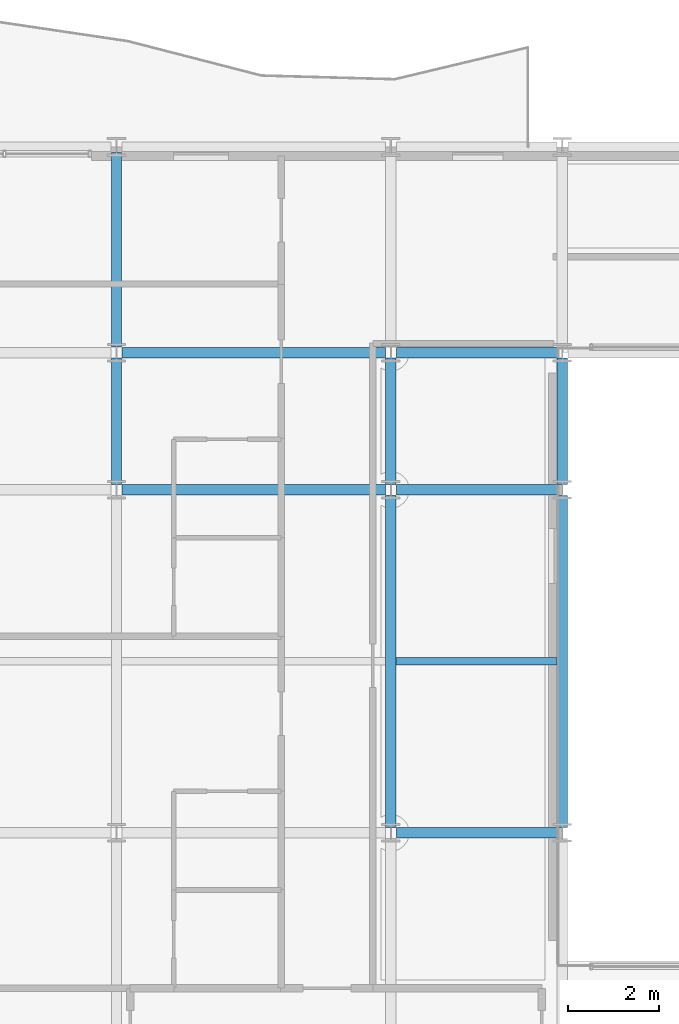
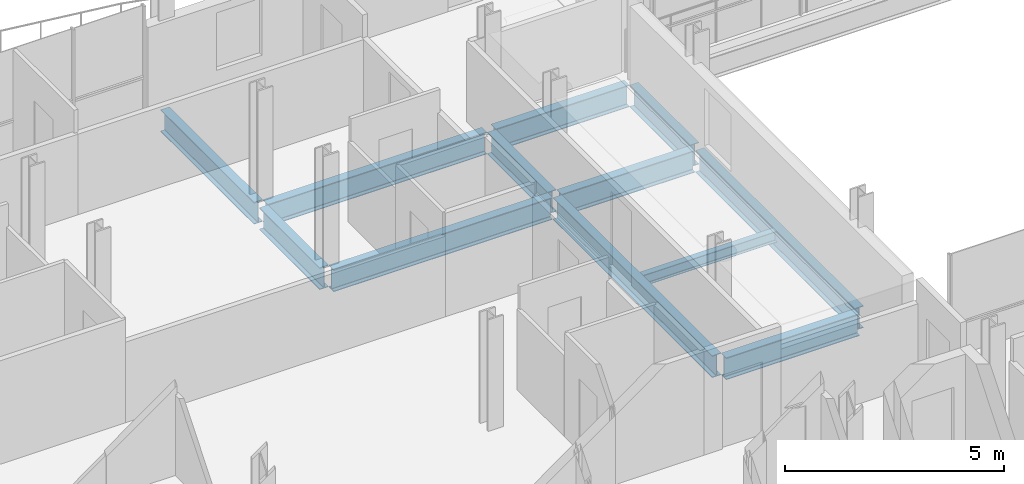
# One storey, part 10 of 41: 12 beams.
"""IFC4 building model written with IfcOpenShell, lengths in metres."""

from ifc_helpers import new_model, si_unit, direction, frame, origin, origin_2d, place, context, subcontext, project, spatial, i_section, extrude, material, material_profile, profile_set, type_object, element, save


model = new_model("IFC4")

# Units and contexts
model_context = context("Model", 3, precision=1e-05, world=origin(), true_north=direction((0.0, 1.0)))
body_context = subcontext(model_context, "Body", "Model", "MODEL_VIEW")
ifc_project = project(units=[si_unit("LENGTHUNIT", "METRE"), si_unit("AREAUNIT", "SQUARE_METRE"), si_unit("VOLUMEUNIT", "CUBIC_METRE"), si_unit("PLANEANGLEUNIT", "RADIAN"), si_unit("MASSUNIT", "GRAM", prefix="KILO")], contexts=[model_context])

# Site, building, storey
site_placement = place(None, origin())
site = spatial("IfcSite", under=ifc_project, at=site_placement, CompositionType="ELEMENT")
building_placement = place(site_placement, origin())
building = spatial("IfcBuilding", under=site, at=building_placement, Name="Brevholm Reach", CompositionType="ELEMENT")
storey_placement = place(building_placement, frame((0.0, 0.0, 144.89990234375)))
storey = spatial("IfcBuildingStorey", under=building, at=storey_placement, Name="L43", CompositionType="ELEMENT", Elevation=144.89990234375)

# Beams
ifc_material_1 = material(Name="Structural Steel S355J2", Category="steel")
ifc_material_profile_1 = material_profile(ifc_material_1, i_section(OverallWidth=0.1650390625, OverallDepth=0.303466796875, WebThickness=0.006103515625, FlangeThickness=0.01025390625, FilletRadius=0.0087890625, at=origin_2d()), Name="UKB 305x165x40")
ifc_profile_set_1 = profile_set([ifc_material_profile_1], Name="Structural Steel S355J2")
beam_type_1 = type_object("IfcBeamType", Name="BM-B305", PredefinedType="BEAM", material=ifc_profile_set_1)
beam_1_placement = place(storey_placement, frame((18.114501953125, 19.75, -0.37158203125), z_axis=(1.0, 0.0, 0.0), x_axis=(0.0, 1.0, 0.0)))
element("IfcBeam", 1, at=beam_1_placement, inside=storey, type_object=beam_type_1, Name="L43 Composite Secondary Floor Beam", PredefinedType="BEAM", context=body_context, shape_type="SweptSolid", body=[
    extrude(i_section(OverallWidth=0.1650390625, OverallDepth=0.303466796875, WebThickness=0.006103515625, FlangeThickness=0.01025390625, FilletRadius=0.0087890625, at=origin_2d()), origin(), (0.0, 0.0, 1.0), 3.52099609375),
])
ifc_material_2 = material(Name="Structural Steel S355J2", Category="steel")
ifc_material_profile_2 = material_profile(ifc_material_2, i_section(OverallWidth=0.22900390625, OverallDepth=0.6123046875, WebThickness=0.011962890625, FlangeThickness=0.01953125, FilletRadius=0.0126953125, at=origin_2d()), Name="UKB 610x229x125")
ifc_profile_set_2 = profile_set([ifc_material_profile_2], Name="Structural Steel S355J2")
beam_type_2 = type_object("IfcBeamType", Name="BM-SP610", PredefinedType="SPANDREL", material=ifc_profile_set_2)
beam_2_placement = place(storey_placement, frame((18.1201171875, 16.0, -0.526123046875), z_axis=(1.0, 0.0, 0.0), x_axis=(0.0, 1.0, 0.0)))
element("IfcBeam", 2, at=beam_2_placement, inside=storey, type_object=beam_type_2, Name="L43 SP-01 Framing Beam", PredefinedType="SPANDREL", context=body_context, shape_type="SweptSolid", body=[
    extrude(i_section(OverallWidth=0.22900390625, OverallDepth=0.6123046875, WebThickness=0.011962890625, FlangeThickness=0.01953125, FilletRadius=0.0126953125, at=origin_2d()), origin(), (0.0, 0.0, 1.0), 3.509765625),
])
beam_3_placement = place(storey_placement, frame((12.1201171875, 23.5, -0.526123046875), z_axis=(1.0, 0.0, 0.0), x_axis=(0.0, 1.0, 0.0)))
element("IfcBeam", 3, at=beam_3_placement, inside=storey, type_object=beam_type_2, Name="L43 SP-01 Framing Beam", PredefinedType="SPANDREL", context=body_context, shape_type="SweptSolid", body=[
    extrude(i_section(OverallWidth=0.22900390625, OverallDepth=0.6123046875, WebThickness=0.011962890625, FlangeThickness=0.01953125, FilletRadius=0.0126953125, at=origin_2d()), origin(), (0.0, 0.0, 1.0), 5.759765625),
])
beam_4_placement = place(storey_placement, frame((18.1201171875, 23.5, -0.526123046875), z_axis=(1.0, 0.0, 0.0), x_axis=(0.0, 1.0, 0.0)))
element("IfcBeam", 4, at=beam_4_placement, inside=storey, type_object=beam_type_2, Name="L43 SP-01 Framing Beam", PredefinedType="SPANDREL", context=body_context, shape_type="SweptSolid", body=[
    extrude(i_section(OverallWidth=0.22900390625, OverallDepth=0.6123046875, WebThickness=0.011962890625, FlangeThickness=0.01953125, FilletRadius=0.0126953125, at=origin_2d()), origin(), (0.0, 0.0, 1.0), 3.509765625),
])
beam_5_placement = place(storey_placement, frame((12.1201171875, 26.5, -0.526123046875), z_axis=(1.0, 0.0, 0.0), x_axis=(0.0, 1.0, 0.0)))
element("IfcBeam", 5, at=beam_5_placement, inside=storey, type_object=beam_type_2, Name="L43 SP-01 Framing Beam", PredefinedType="SPANDREL", context=body_context, shape_type="SweptSolid", body=[
    extrude(i_section(OverallWidth=0.22900390625, OverallDepth=0.6123046875, WebThickness=0.011962890625, FlangeThickness=0.01953125, FilletRadius=0.0126953125, at=origin_2d()), origin(), (0.0, 0.0, 1.0), 5.759765625),
])
beam_6_placement = place(storey_placement, frame((18.1201171875, 26.5, -0.526123046875), z_axis=(1.0, 0.0, 0.0), x_axis=(0.0, 1.0, 0.0)))
element("IfcBeam", 6, at=beam_6_placement, inside=storey, type_object=beam_type_2, Name="L43 SP-01 Framing Beam", PredefinedType="SPANDREL", context=body_context, shape_type="SweptSolid", body=[
    extrude(i_section(OverallWidth=0.22900390625, OverallDepth=0.6123046875, WebThickness=0.011962890625, FlangeThickness=0.01953125, FilletRadius=0.0126953125, at=origin_2d()), origin(), (0.0, 0.0, 1.0), 3.509765625),
])
beam_7_placement = place(storey_placement, frame((12.0, 23.6201171875, -0.526123046875), z_axis=(0.0, 1.0, 0.0), x_axis=(-1.0, 0.0, 0.0)))
element("IfcBeam", 7, at=beam_7_placement, inside=storey, type_object=beam_type_2, Name="L43 SP-01 Framing Beam", PredefinedType="SPANDREL", context=body_context, shape_type="SweptSolid", body=[
    extrude(i_section(OverallWidth=0.22900390625, OverallDepth=0.6123046875, WebThickness=0.011962890625, FlangeThickness=0.01953125, FilletRadius=0.0126953125, at=origin_2d()), origin(), (0.0, 0.0, 1.0), 2.759765625),
])
beam_8_placement = place(storey_placement, frame((12.0, 26.6201171875, -0.526123046875), z_axis=(0.0, 1.0, 0.0), x_axis=(-1.0, 0.0, 0.0)))
element("IfcBeam", 8, at=beam_8_placement, inside=storey, type_object=beam_type_2, Name="L43 SP-01 Framing Beam", PredefinedType="SPANDREL", context=body_context, shape_type="SweptSolid", body=[
    extrude(i_section(OverallWidth=0.22900390625, OverallDepth=0.6123046875, WebThickness=0.011962890625, FlangeThickness=0.01953125, FilletRadius=0.0126953125, at=origin_2d()), origin(), (0.0, 0.0, 1.0), 4.259765625),
])
beam_9_placement = place(storey_placement, frame((18.0, 16.1201171875, -0.526123046875), z_axis=(0.0, 1.0, 0.0), x_axis=(-1.0, 0.0, 0.0)))
element("IfcBeam", 9, at=beam_9_placement, inside=storey, type_object=beam_type_2, Name="L43 SP-01 Framing Beam", PredefinedType="SPANDREL", context=body_context, shape_type="SweptSolid", body=[
    extrude(i_section(OverallWidth=0.22900390625, OverallDepth=0.6123046875, WebThickness=0.011962890625, FlangeThickness=0.01953125, FilletRadius=0.0126953125, at=origin_2d()), origin(), (0.0, 0.0, 1.0), 7.259765625),
])
beam_10_placement = place(storey_placement, frame((18.0, 23.6201171875, -0.526123046875), z_axis=(0.0, 1.0, 0.0), x_axis=(-1.0, 0.0, 0.0)))
element("IfcBeam", 10, at=beam_10_placement, inside=storey, type_object=beam_type_2, Name="L43 SP-01 Framing Beam", PredefinedType="SPANDREL", context=body_context, shape_type="SweptSolid", body=[
    extrude(i_section(OverallWidth=0.22900390625, OverallDepth=0.6123046875, WebThickness=0.011962890625, FlangeThickness=0.01953125, FilletRadius=0.0126953125, at=origin_2d()), origin(), (0.0, 0.0, 1.0), 2.759765625),
])
beam_11_placement = place(storey_placement, frame((21.75, 16.1201171875, -0.526123046875), z_axis=(0.0, 1.0, 0.0), x_axis=(-1.0, 0.0, 0.0)))
element("IfcBeam", 11, at=beam_11_placement, inside=storey, type_object=beam_type_2, Name="L43 SP-01 Framing Beam", PredefinedType="SPANDREL", context=body_context, shape_type="SweptSolid", body=[
    extrude(i_section(OverallWidth=0.22900390625, OverallDepth=0.6123046875, WebThickness=0.011962890625, FlangeThickness=0.01953125, FilletRadius=0.0126953125, at=origin_2d()), origin(), (0.0, 0.0, 1.0), 7.259765625),
])
beam_12_placement = place(storey_placement, frame((21.75, 23.6201171875, -0.526123046875), z_axis=(0.0, 1.0, 0.0), x_axis=(-1.0, 0.0, 0.0)))
element("IfcBeam", 12, at=beam_12_placement, inside=storey, type_object=beam_type_2, Name="L43 SP-01 Framing Beam", PredefinedType="SPANDREL", context=body_context, shape_type="SweptSolid", body=[
    extrude(i_section(OverallWidth=0.22900390625, OverallDepth=0.6123046875, WebThickness=0.011962890625, FlangeThickness=0.01953125, FilletRadius=0.0126953125, at=origin_2d()), origin(), (0.0, 0.0, 1.0), 2.759765625),
])

save(model, "model.ifc")
